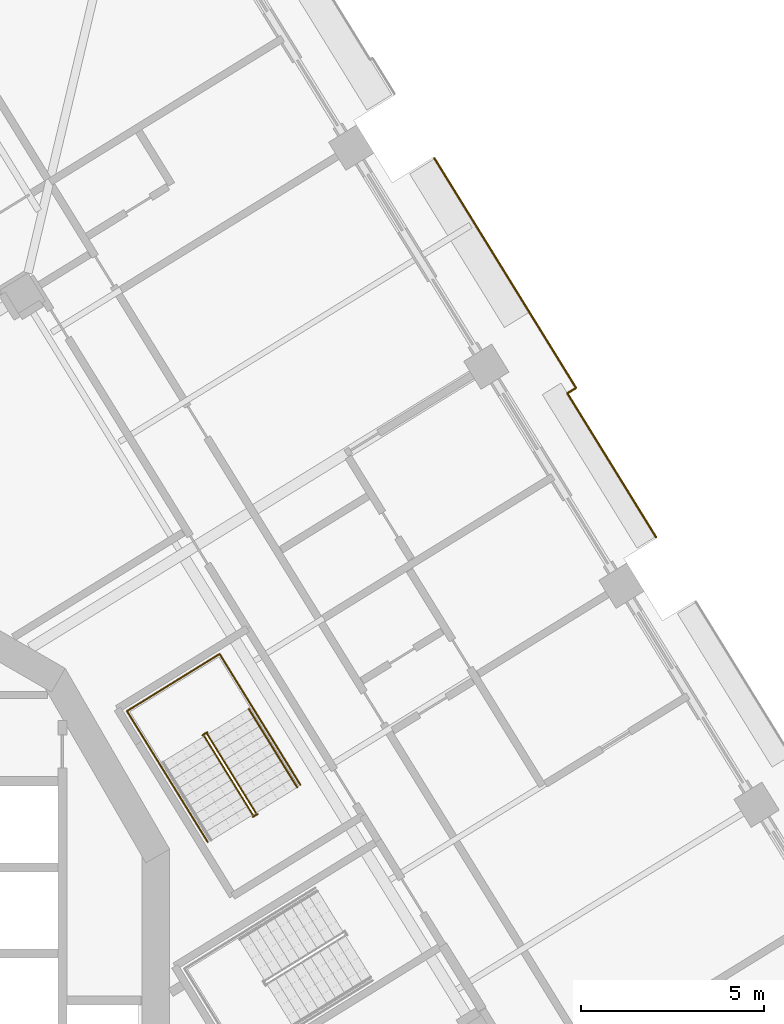
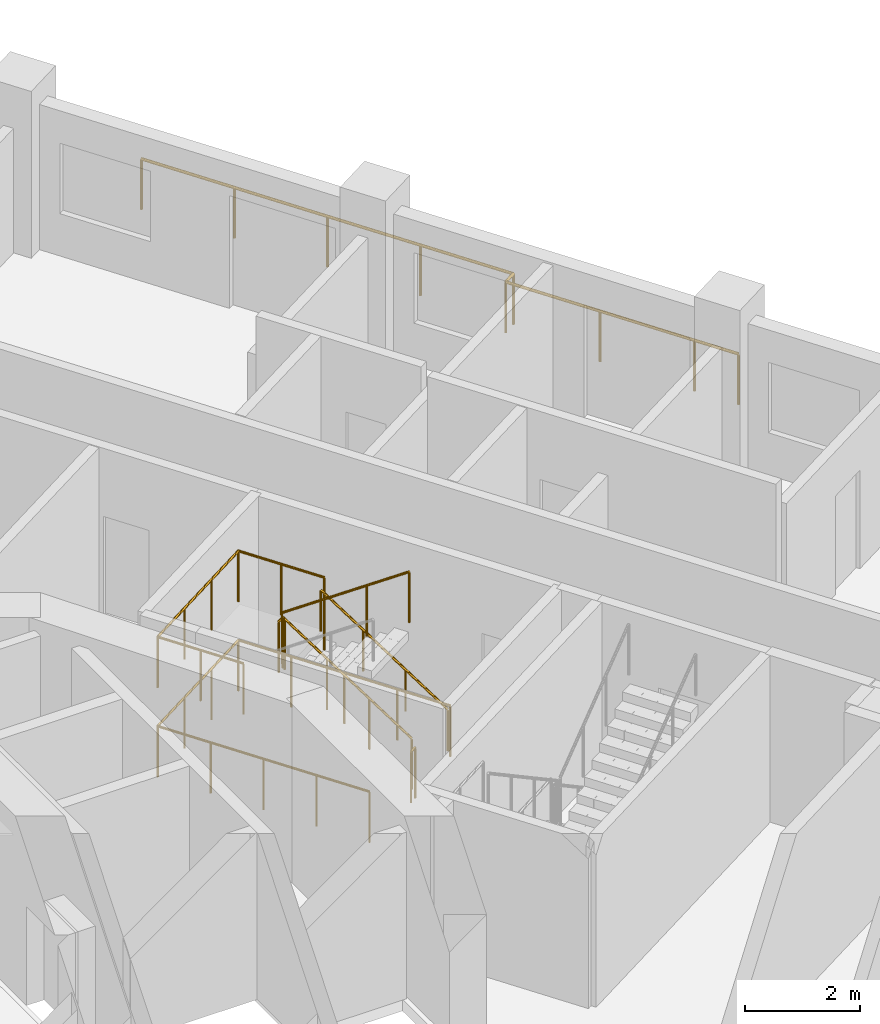
# One storey, part 20 of 22: 8 railings.
"""IFC4 building model written with IfcOpenShell, lengths in metres."""

from ifc_helpers import new_model, si_unit, direction, frame, origin, origin_2d, place, context, subcontext, project, spatial, circle, extrude, material, type_object, element, save


model = new_model("IFC4")

# Units and contexts
model_context = context("Model", 3, precision=1e-05, world=origin(), true_north=direction((0.0, 1.0)))
body_context = subcontext(model_context, "Body", "Model", "MODEL_VIEW")
ifc_project = project(units=[si_unit("LENGTHUNIT", "METRE"), si_unit("AREAUNIT", "SQUARE_METRE"), si_unit("VOLUMEUNIT", "CUBIC_METRE"), si_unit("PLANEANGLEUNIT", "RADIAN"), si_unit("MASSUNIT", "GRAM", prefix="KILO")], contexts=[model_context])

# Site, building, storey
site_placement = place(None, origin())
site = spatial("IfcSite", under=ifc_project, at=site_placement, CompositionType="ELEMENT")
building_placement = place(site_placement, origin())
building = spatial("IfcBuilding", under=site, at=building_placement, Name="Cantera Rosa Tower", CompositionType="ELEMENT")
storey_placement = place(building_placement, frame((0.0, 0.0, 178.0)))
storey = spatial("IfcBuildingStorey", under=building, at=storey_placement, Name="L39", CompositionType="ELEMENT", Elevation=178.0)

# Railings
ifc_material_1 = material(Name="Stainless steel and laminated glass", Category="steel")
railing_type_1 = type_object("IfcRailingType", Name="GUARD 1100", PredefinedType="BALUSTRADE", material=ifc_material_1)
railing_1_placement = place(storey_placement, frame((21.7138671875, 15.426513671875, 0.0)))
element("IfcRailing", 1, at=railing_1_placement, inside=storey, type_object=railing_type_1, Name="GUARD L39-12", PredefinedType="BALUSTRADE", context=body_context, shape_type="SweptSolid", body=[
    extrude(circle(Radius=0.030029296875, at=origin_2d()), frame((0.0, 0.0, 1.070068359375), z_axis=(-0.850637179095, -0.525753164081, 0.0), x_axis=(0.525753164081, -0.850637179095, 0.0)), (0.0, 0.0, 1.0), 0.279541015625),
    extrude(circle(Radius=0.030029296875, at=origin_2d()), frame((-0.23779296875, -0.14697265625, 1.070068359375), z_axis=(0.524949392949, -0.851133441267, 0.0), x_axis=(0.851133441267, 0.524949392949, 0.0)), (0.0, 0.0, 1.0), 3.740234375),
    extrude(circle(Radius=0.030029296875, at=origin_2d()), frame((1.7255859375, -3.330322265625, 1.070068359375), z_axis=(0.525020841331, -0.851089370259, 0.0), x_axis=(0.851089370259, 0.525020841331, 0.0)), (0.0, 0.0, 1.0), 0.8701171875),
    extrude(circle(Radius=0.02490234375, at=origin_2d()), origin(), (0.0, 0.0, 1.0), 1.0400390625),
    extrude(circle(Radius=0.02490234375, at=origin_2d()), frame((-0.23779296875, -0.14697265625, 0.0)), (0.0, 0.0, 1.0), 1.0400390625),
    extrude(circle(Radius=0.02490234375, at=origin_2d()), frame((0.743896484375, -1.73876953125, 0.0)), (0.0, 0.0, 1.0), 1.0400390625),
    extrude(circle(Radius=0.02490234375, at=origin_2d()), frame((1.7255859375, -3.330322265625, 0.0)), (0.0, 0.0, 1.0), 1.0400390625),
    extrude(circle(Radius=0.02490234375, at=origin_2d()), frame((2.182373046875, -4.07080078125, 0.0)), (0.0, 0.0, 1.0), 1.0400390625),
])
railing_2_placement = place(storey_placement, frame((17.844970703125, 21.69873046875, 0.0)))
element("IfcRailing", 2, at=railing_2_placement, inside=storey, type_object=railing_type_1, Name="GUARD L39-13", PredefinedType="BALUSTRADE", context=body_context, shape_type="SweptSolid", body=[
    extrude(circle(Radius=0.030029296875, at=origin_2d()), frame((0.0, 0.0, 1.070068359375), z_axis=(0.524989905381, -0.851108453282, 0.0), x_axis=(0.851108453282, 0.524989905381, 0.0)), (0.0, 0.0, 1.0), 7.369384765625),
    extrude(circle(Radius=0.02490234375, at=origin_2d()), origin(), (0.0, 0.0, 1.0), 1.0400390625),
    extrude(circle(Radius=0.02490234375, at=origin_2d()), frame((0.96728515625, -1.568115234375, 0.0)), (0.0, 0.0, 1.0), 1.0400390625),
    extrude(circle(Radius=0.02490234375, at=origin_2d()), frame((1.9345703125, -3.13623046875, 0.0)), (0.0, 0.0, 1.0), 1.0400390625),
    extrude(circle(Radius=0.02490234375, at=origin_2d()), frame((2.901611328125, -4.7041015625, 0.0)), (0.0, 0.0, 1.0), 1.0400390625),
    extrude(circle(Radius=0.02490234375, at=origin_2d()), frame((3.868896484375, -6.272216796875, 0.0)), (0.0, 0.0, 1.0), 1.0400390625),
])
ifc_material_2 = material(Name="Steel S355J2 (EN 10025-2)", Category="steel")
railing_type_2 = type_object("IfcRailingType", Name="STAIR GUARD 1100", PredefinedType="GUARDRAIL", material=ifc_material_2)
railing_3_placement = place(storey_placement, frame((12.9765625, 3.834228515625, 0.18994140625)))
element("IfcRailing", 3, at=railing_3_placement, inside=storey, type_object=railing_type_2, Name="L39 ST-31 stair guard 1", PredefinedType="GUARDRAIL", context=body_context, shape_type="SweptSolid", body=[
    extrude(circle(Radius=0.02392578125, at=origin_2d()), frame((0.0, 0.0, 1.076171875), z_axis=(-0.434362572038, 0.70429590169, 0.561512634654), x_axis=(-0.851145618652, -0.524929648476, 0.0)), (0.0, 0.0, 1.0), 3.045166015625),
    extrude(circle(Radius=0.02392578125, at=origin_2d()), frame((-1.32275390625, 2.144775390625, 2.7861328125), z_axis=(-0.073711968402, 0.997279572494, 0.0), x_axis=(-0.997279572494, -0.073711968402, 0.0)), (0.0, 0.0, 1.0), 0.056396484375),
    extrude(circle(Radius=0.02392578125, at=origin_2d()), frame((-1.326904296875, 2.200927734375, 2.7861328125), z_axis=(-0.851546489876, -0.524279100842, 0.0), x_axis=(0.524279100842, -0.851546489876, 0.0)), (0.0, 0.0, 1.0), 0.14990234375),
    extrude(circle(Radius=0.02099609375, at=origin_2d()), origin(), (0.0, 0.0, 1.0), 1.052001953125),
    extrude(circle(Radius=0.02099609375, at=origin_2d()), frame((-0.44091796875, 0.71484375, 0.570068359375)), (0.0, 0.0, 1.0), 1.052001953125),
    extrude(circle(Radius=0.02099609375, at=origin_2d()), frame((-0.8818359375, 1.429931640625, 1.139892578125)), (0.0, 0.0, 1.0), 1.052001953125),
    extrude(circle(Radius=0.02099609375, at=origin_2d()), frame((-1.32275390625, 2.144775390625, 1.7099609375)), (0.0, 0.0, 1.0), 1.052001953125),
    extrude(circle(Radius=0.02099609375, at=origin_2d()), frame((-1.326904296875, 2.200927734375, 1.7099609375)), (0.0, 0.0, 1.0), 1.052001953125),
    extrude(circle(Radius=0.02099609375, at=origin_2d()), frame((-1.45458984375, 2.122314453125, 1.7099609375)), (0.0, 0.0, 1.0), 1.052001953125),
])
railing_4_placement = place(storey_placement, frame((11.5703125, 5.927490234375, 2.090087890625)))
element("IfcRailing", 4, at=railing_4_placement, inside=storey, type_object=railing_type_2, Name="L39 ST-31 stair guard 2", PredefinedType="GUARDRAIL", context=body_context, shape_type="SweptSolid", body=[
    extrude(circle(Radius=0.02392578125, at=origin_2d()), frame((0.0, 0.0, 1.076171875), z_axis=(0.434427613125, -0.704271375033, 0.561493080334), x_axis=(0.851102330005, 0.524999832248, 0.0)), (0.0, 0.0, 1.0), 3.04541015625),
    extrude(circle(Radius=0.02099609375, at=origin_2d()), origin(), (0.0, 0.0, 1.0), 1.052001953125),
    extrude(circle(Radius=0.02099609375, at=origin_2d()), frame((0.44091796875, -0.71484375, 0.570068359375)), (0.0, 0.0, 1.0), 1.052001953125),
    extrude(circle(Radius=0.02099609375, at=origin_2d()), frame((0.882080078125, -1.429931640625, 1.139892578125)), (0.0, 0.0, 1.0), 1.052001953125),
    extrude(circle(Radius=0.02099609375, at=origin_2d()), frame((1.322998046875, -2.144775390625, 1.7099609375)), (0.0, 0.0, 1.0), 1.052001953125),
])
railing_5_placement = place(storey_placement, frame((13.025146484375, 3.80517578125, 0.0)))
element("IfcRailing", 5, at=railing_5_placement, inside=storey, type_object=railing_type_2, Name="L39 ST-31 stair guard 3", PredefinedType="GUARDRAIL", context=body_context, shape_type="SweptSolid", body=[
    extrude(circle(Radius=0.02392578125, at=origin_2d()), frame((0.0, 0.0, 1.076171875), z_axis=(-0.851546489876, -0.524279100842, 0.0), x_axis=(0.524279100842, -0.851546489876, 0.0)), (0.0, 0.0, 1.0), 0.14990234375),
    extrude(circle(Radius=0.02099609375, at=origin_2d()), origin(), (0.0, 0.0, 1.0), 1.052001953125),
    extrude(circle(Radius=0.02099609375, at=origin_2d()), frame((-0.127685546875, -0.07861328125, 0.0)), (0.0, 0.0, 1.0), 1.052001953125),
])
railing_6_placement = place(storey_placement, frame((14.192626953125, 4.59814453125, 0.0)))
element("IfcRailing", 6, at=railing_6_placement, inside=storey, type_object=railing_type_2, Name="L39 ST-31 stair guard 4", PredefinedType="GUARDRAIL", context=body_context, shape_type="SweptSolid", body=[
    extrude(circle(Radius=0.02392578125, at=origin_2d()), frame((0.0, 0.0, 1.076171875), z_axis=(-0.524976478809, 0.851116735059, 0.0), x_axis=(-0.851116735059, -0.524976478809, 0.0)), (0.0, 0.0, 1.0), 4.197998046875),
    extrude(circle(Radius=0.02392578125, at=origin_2d()), frame((-2.203857421875, 3.572998046875, 1.076171875), z_axis=(-0.851132917336, -0.524950242429, 0.0), x_axis=(0.524950242429, -0.851132917336, 0.0)), (0.0, 0.0, 1.0), 2.969970703125),
    extrude(circle(Radius=0.02392578125, at=origin_2d()), frame((-4.731689453125, 2.013916015625, 1.076171875), z_axis=(0.524976478809, -0.851116735059, 0.0), x_axis=(0.851116735059, 0.524976478809, 0.0)), (0.0, 0.0, 1.0), 4.197998046875),
    extrude(circle(Radius=0.02099609375, at=origin_2d()), origin(), (0.0, 0.0, 1.0), 1.052001953125),
    extrude(circle(Radius=0.02099609375, at=origin_2d()), frame((-0.551025390625, 0.893310546875, 0.0)), (0.0, 0.0, 1.0), 1.052001953125),
    extrude(circle(Radius=0.02099609375, at=origin_2d()), frame((-1.10205078125, 1.78662109375, 0.0)), (0.0, 0.0, 1.0), 1.052001953125),
    extrude(circle(Radius=0.02099609375, at=origin_2d()), frame((-1.65283203125, 2.6796875, 0.0)), (0.0, 0.0, 1.0), 1.052001953125),
    extrude(circle(Radius=0.02099609375, at=origin_2d()), frame((-2.203857421875, 3.572998046875, 0.0)), (0.0, 0.0, 1.0), 1.052001953125),
    extrude(circle(Radius=0.02099609375, at=origin_2d()), frame((-3.04638671875, 3.05322265625, 0.0)), (0.0, 0.0, 1.0), 1.052001953125),
    extrude(circle(Radius=0.02099609375, at=origin_2d()), frame((-3.88916015625, 2.53369140625, 0.0)), (0.0, 0.0, 1.0), 1.052001953125),
    extrude(circle(Radius=0.02099609375, at=origin_2d()), frame((-4.731689453125, 2.013916015625, 0.0)), (0.0, 0.0, 1.0), 1.052001953125),
    extrude(circle(Radius=0.02099609375, at=origin_2d()), frame((-4.1806640625, 1.12060546875, 0.0)), (0.0, 0.0, 1.0), 1.052001953125),
    extrude(circle(Radius=0.02099609375, at=origin_2d()), frame((-3.6298828125, 0.2275390625, 0.0)), (0.0, 0.0, 1.0), 1.052001953125),
    extrude(circle(Radius=0.02099609375, at=origin_2d()), frame((-3.078857421875, -0.665771484375, 0.0)), (0.0, 0.0, 1.0), 1.052001953125),
    extrude(circle(Radius=0.02099609375, at=origin_2d()), frame((-2.52783203125, -1.55908203125, 0.0)), (0.0, 0.0, 1.0), 1.052001953125),
])
railing_7_placement = place(storey_placement, frame((12.88232421875, 6.72265625, 1.89990234375)))
element("IfcRailing", 7, at=railing_7_placement, inside=storey, type_object=railing_type_2, Name="L39 ST-31 stair guard 5", PredefinedType="GUARDRAIL", context=body_context, shape_type="SweptSolid", body=[
    extrude(circle(Radius=0.02392578125, at=origin_2d()), frame((0.0, 0.0, 1.076171875), z_axis=(-0.525025534833, 0.851086474909, 0.0), x_axis=(-0.851086474909, -0.525025534833, 0.0)), (0.0, 0.0, 1.0), 1.701904296875),
    extrude(circle(Radius=0.02392578125, at=origin_2d()), frame((-0.8935546875, 1.448486328125, 1.076171875), z_axis=(-0.851132917336, -0.524950242429, 0.0), x_axis=(0.524950242429, -0.851132917336, 0.0)), (0.0, 0.0, 1.0), 2.969970703125),
    extrude(circle(Radius=0.02392578125, at=origin_2d()), frame((-3.42138671875, -0.110595703125, 1.076171875), z_axis=(0.524961441845, -0.851126009811, 0.0), x_axis=(0.851126009811, 0.524961441845, 0.0)), (0.0, 0.0, 1.0), 1.7021484375),
    extrude(circle(Radius=0.02099609375, at=origin_2d()), origin(), (0.0, 0.0, 1.0), 1.052001953125),
    extrude(circle(Radius=0.02099609375, at=origin_2d()), frame((-0.44677734375, 0.72412109375, 0.0)), (0.0, 0.0, 1.0), 1.052001953125),
    extrude(circle(Radius=0.02099609375, at=origin_2d()), frame((-0.8935546875, 1.448486328125, 0.0)), (0.0, 0.0, 1.0), 1.052001953125),
    extrude(circle(Radius=0.02099609375, at=origin_2d()), frame((-1.736083984375, 0.9287109375, 0.0)), (0.0, 0.0, 1.0), 1.052001953125),
    extrude(circle(Radius=0.02099609375, at=origin_2d()), frame((-2.578857421875, 0.4091796875, 0.0)), (0.0, 0.0, 1.0), 1.052001953125),
    extrude(circle(Radius=0.02099609375, at=origin_2d()), frame((-3.42138671875, -0.110595703125, 0.0)), (0.0, 0.0, 1.0), 1.052001953125),
    extrude(circle(Radius=0.02099609375, at=origin_2d()), frame((-2.974609375, -0.8349609375, 0.0)), (0.0, 0.0, 1.0), 1.052001953125),
    extrude(circle(Radius=0.02099609375, at=origin_2d()), frame((-2.52783203125, -1.559326171875, 0.0)), (0.0, 0.0, 1.0), 1.052001953125),
])
ifc_material_3 = material(Name="Steel S355J2 (EN 10025-2)", Category="steel")
railing_type_3 = type_object("IfcRailingType", Name="STAIR HANDRAIL 900", PredefinedType="HANDRAIL", material=ifc_material_3)
railing_8_placement = place(storey_placement, frame((14.105224609375, 4.5302734375, 0.18994140625)))
element("IfcRailing", 8, at=railing_8_placement, inside=storey, type_object=railing_type_3, Name="L39 ST-31 stair handrail 1", PredefinedType="HANDRAIL", context=body_context, shape_type="SweptSolid", body=[
    extrude(circle(Radius=0.02392578125, at=origin_2d()), frame((0.0, 0.0, 0.8759765625), z_axis=(-0.434427613125, 0.704271375033, 0.561493080334), x_axis=(-0.851102330005, -0.524999832248, 0.0)), (0.0, 0.0, 1.0), 3.04541015625),
    extrude(circle(Radius=0.02099609375, at=origin_2d()), origin(), (0.0, 0.0, 1.0), 0.851806640625),
    extrude(circle(Radius=0.02099609375, at=origin_2d()), frame((-0.44091796875, 0.71484375, 0.570068359375)), (0.0, 0.0, 1.0), 0.851806640625),
    extrude(circle(Radius=0.02099609375, at=origin_2d()), frame((-0.882080078125, 1.429931640625, 1.139892578125)), (0.0, 0.0, 1.0), 0.851806640625),
    extrude(circle(Radius=0.02099609375, at=origin_2d()), frame((-1.322998046875, 2.144775390625, 1.7099609375)), (0.0, 0.0, 1.0), 0.851806640625),
])

save(model, "model.ifc")
